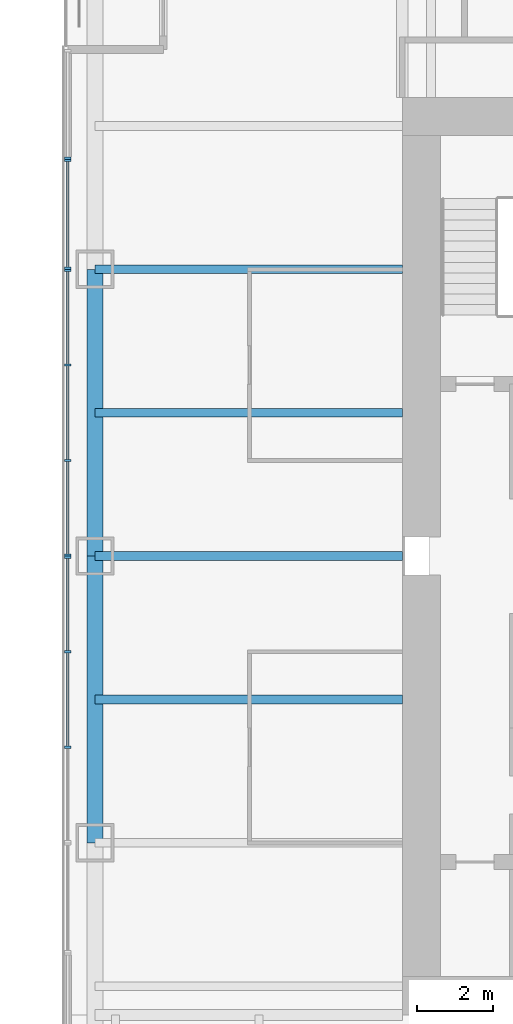
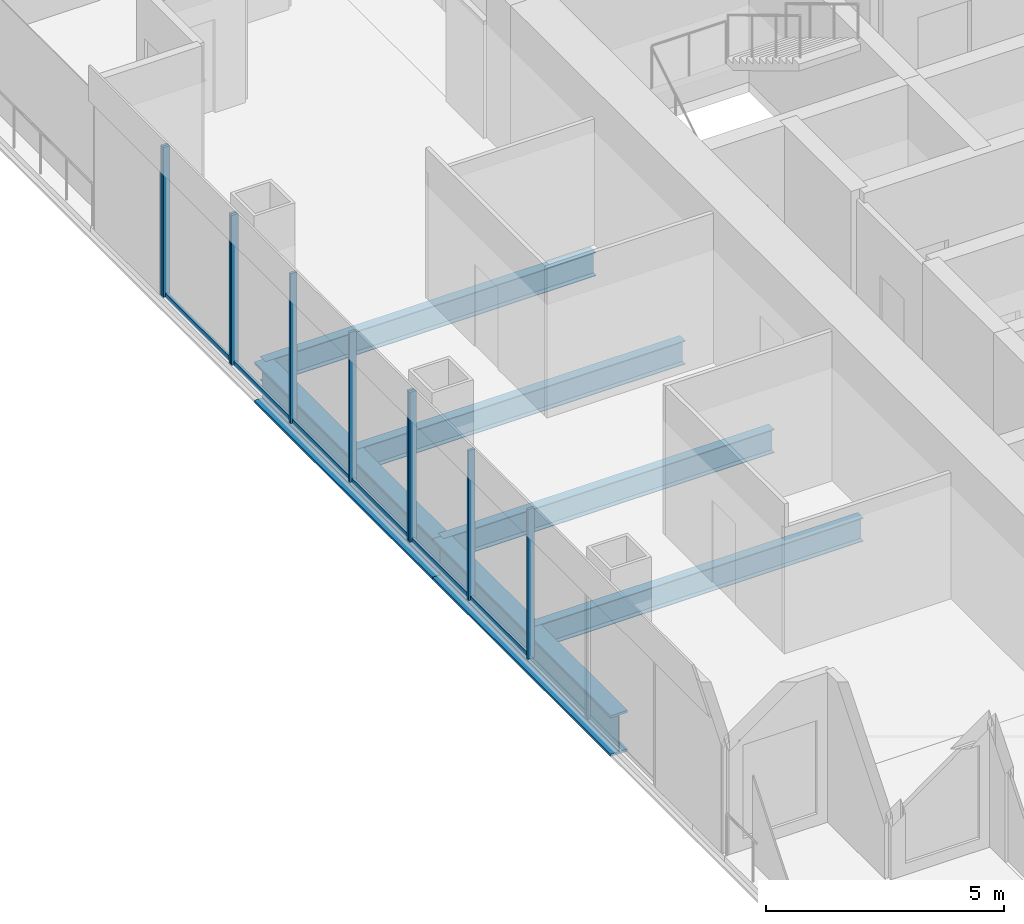
# One storey, part 4 of 14: 16 members, 6 beams, 4 elements without a shape of their own.
"""IFC4 building model written with IfcOpenShell, lengths in metres."""

from ifc_helpers import new_model, si_unit, direction, frame, origin, origin_2d, place, context, subcontext, project, spatial, rectangle, i_section, extrude, material, material_profile, profile_set, type_object, element, aggregate, save


model = new_model("IFC4")

# Units and contexts
model_context = context("Model", 3, precision=1e-05, world=origin(), true_north=direction((0.0, 1.0)))
body_context = subcontext(model_context, "Body", "Model", "MODEL_VIEW")
ifc_project = project(units=[si_unit("LENGTHUNIT", "METRE"), si_unit("AREAUNIT", "SQUARE_METRE"), si_unit("VOLUMEUNIT", "CUBIC_METRE"), si_unit("PLANEANGLEUNIT", "RADIAN"), si_unit("MASSUNIT", "GRAM", prefix="KILO")], contexts=[model_context])

# Site, building, storey
site_placement = place(None, origin())
site = spatial("IfcSite", under=ifc_project, at=site_placement, CompositionType="ELEMENT")
building_placement = place(site_placement, origin())
building = spatial("IfcBuilding", under=site, at=building_placement, Name="Tarangal Relay Tower", CompositionType="ELEMENT")
storey_placement = place(building_placement, frame((0.0, 0.0, 327.89990234375)))
storey = spatial("IfcBuildingStorey", under=building, at=storey_placement, Name="L73", CompositionType="ELEMENT", Elevation=327.89990234375)

# Beams
ifc_material_1 = material(Name="Steel ASTM A992", Category="steel")
ifc_material_profile_1 = material_profile(ifc_material_1, i_section(OverallWidth=0.41162109375, OverallDepth=1.049072265625, WebThickness=0.033935546875, FlangeThickness=0.059814453125, at=origin_2d()), Name="W40X431")
ifc_profile_set_1 = profile_set([ifc_material_profile_1], Name="Steel ASTM A992")
beam_type_1 = type_object("IfcBeamType", Name="Edge girder W40X431", PredefinedType="SPANDREL", material=ifc_profile_set_1)
for number, where, z_axis, x_axis, name in (
    (1, (-20.0400390625, -7.5, -0.67431640625), (0.0, 1.0, 0.0), (-1.0, 0.0, 0.0), "Edge girder EG1 W L73"),
    (2, (-20.0400390625, 0.0, -0.67431640625), (0.0, 1.0, 0.0), (-1.0, 0.0, 0.0), "Edge girder EG1 W L73"),
):
    element("IfcBeam", number, at=place(storey_placement, frame(where, z_axis=z_axis, x_axis=x_axis)), inside=storey, type_object=beam_type_1, Name=name, PredefinedType="SPANDREL", context=body_context, shape_type="SweptSolid", body=[
        extrude(i_section(OverallWidth=0.41162109375, OverallDepth=1.049072265625, WebThickness=0.033935546875, FlangeThickness=0.059814453125, at=origin_2d()), origin(), (0.0, 0.0, 1.0), 7.5),
    ])
ifc_material_profile_2 = material_profile(ifc_material_1, i_section(OverallWidth=0.228271484375, OverallDepth=0.607177734375, WebThickness=0.01123046875, FlangeThickness=0.017333984375, at=origin_2d()), Name="W24X76")
ifc_profile_set_2 = profile_set([ifc_material_profile_2], Name="Steel ASTM A992")
beam_type_2 = type_object("IfcBeamType", Name="Floor beam W24X76", PredefinedType="BEAM", material=ifc_profile_set_2)
for number, where, z_axis, x_axis, name in (
    (3, (-12.0, -3.75, -0.453369140625), (-1.0, 0.0, 0.0), (0.0, -1.0, 0.0), "Floor beam RB5 W L73"),
    (4, (-12.0, 0.0, -0.453369140625), (-1.0, 0.0, 0.0), (0.0, -1.0, 0.0), "Floor beam RB5 W L73"),
    (5, (-12.0, 3.75, -0.453369140625), (-1.0, 0.0, 0.0), (0.0, -1.0, 0.0), "Floor beam RB5 W L73"),
    (6, (-12.0, 7.5, -0.453369140625), (-1.0, 0.0, 0.0), (0.0, -1.0, 0.0), "Floor beam RB5 W L73"),
):
    element("IfcBeam", number, at=place(storey_placement, frame(where, z_axis=z_axis, x_axis=x_axis)), inside=storey, type_object=beam_type_2, Name=name, PredefinedType="BEAM", context=body_context, shape_type="SweptSolid", body=[
        extrude(i_section(OverallWidth=0.228271484375, OverallDepth=0.607177734375, WebThickness=0.01123046875, FlangeThickness=0.017333984375, at=origin_2d()), origin(), (0.0, 0.0, 1.0), 8.0400390625),
    ])

# Curtain wall, members
ifc_material_2 = material(Name="Unitised curtain wall, dark glass and black aluminium", Category="aluminium")
curtain_wall_type_1 = type_object("IfcCurtainWallType", Name="Curtain wall CW-B", PredefinedType="USERDEFINED", material=ifc_material_2)
curtain_wall_1_placement = place(storey_placement, origin())
curtain_wall_1 = element("IfcCurtainWall", 7, at=curtain_wall_1_placement, inside=storey, type_object=curtain_wall_type_1, Name="Curtain wall CW-B W facade L73", ObjectType="UNITISED CURTAIN WALL", PredefinedType="USERDEFINED")
ifc_material_3 = material(Name="Black anodised aluminium mullion", Category="aluminium")
ifc_material_profile_3 = material_profile(ifc_material_3, rectangle(XDim=0.159912109375, YDim=0.06005859375, at=origin_2d()), Name="CW-BM 60X160")
ifc_profile_set_3 = profile_set([ifc_material_profile_3], Name="Black anodised aluminium mullion")
member_type_1 = type_object("IfcMemberType", Name="Mullion CW-B 60 x 160", PredefinedType="MULLION", material=ifc_profile_set_3)
member_1_placement = place(storey_placement, frame((-20.75, -5.0, 0.0), z_axis=(0.0, 0.0, 1.0), x_axis=(-1.0, 0.0, 0.0)))
member_1 = element("IfcMember", 8, at=member_1_placement, type_object=member_type_1, Name="CW-B mullion 2", PredefinedType="MULLION", context=body_context, shape_type="SweptSolid", body=[
    extrude(rectangle(XDim=0.159912109375, YDim=0.06005859375, at=origin_2d()), origin(), (0.0, 0.0, 1.0), 3.85009765625),
])
member_2_placement = place(storey_placement, frame((-20.75, -2.5, 0.0), z_axis=(0.0, 0.0, 1.0), x_axis=(-1.0, 0.0, 0.0)))
member_2 = element("IfcMember", 9, at=member_2_placement, type_object=member_type_1, Name="CW-B mullion 3", PredefinedType="MULLION", context=body_context, shape_type="SweptSolid", body=[
    extrude(rectangle(XDim=0.159912109375, YDim=0.06005859375, at=origin_2d()), origin(), (0.0, 0.0, 1.0), 3.85009765625),
])
member_3_placement = place(storey_placement, frame((-20.75, -0.030029296875, 0.0), z_axis=(0.0, 0.0, 1.0), x_axis=(-1.0, 0.0, 0.0)))
member_3 = element("IfcMember", 10, at=member_3_placement, type_object=member_type_1, Name="CW-B mullion 4", PredefinedType="MULLION", context=body_context, shape_type="SweptSolid", body=[
    extrude(rectangle(XDim=0.159912109375, YDim=0.06005859375, at=origin_2d()), origin(), (0.0, 0.0, 1.0), 3.85009765625),
])

curtain_wall_2_placement = place(storey_placement, origin())
curtain_wall_2 = element("IfcCurtainWall", 11, at=curtain_wall_2_placement, inside=storey, type_object=curtain_wall_type_1, Name="Curtain wall CW-B W facade L73", ObjectType="UNITISED CURTAIN WALL", PredefinedType="USERDEFINED")
member_4_placement = place(storey_placement, frame((-20.75, 0.030029296875, 0.0), z_axis=(0.0, 0.0, 1.0), x_axis=(-1.0, 0.0, 0.0)))
member_4 = element("IfcMember", 12, at=member_4_placement, type_object=member_type_1, Name="CW-B mullion 1", PredefinedType="MULLION", context=body_context, shape_type="SweptSolid", body=[
    extrude(rectangle(XDim=0.159912109375, YDim=0.06005859375, at=origin_2d()), origin(), (0.0, 0.0, 1.0), 3.85009765625),
])
member_5_placement = place(storey_placement, frame((-20.75, 2.5, 0.0), z_axis=(0.0, 0.0, 1.0), x_axis=(-1.0, 0.0, 0.0)))
member_5 = element("IfcMember", 13, at=member_5_placement, type_object=member_type_1, Name="CW-B mullion 2", PredefinedType="MULLION", context=body_context, shape_type="SweptSolid", body=[
    extrude(rectangle(XDim=0.159912109375, YDim=0.06005859375, at=origin_2d()), origin(), (0.0, 0.0, 1.0), 3.85009765625),
])
member_6_placement = place(storey_placement, frame((-20.75, 5.0, 0.0), z_axis=(0.0, 0.0, 1.0), x_axis=(-1.0, 0.0, 0.0)))
member_6 = element("IfcMember", 14, at=member_6_placement, type_object=member_type_1, Name="CW-B mullion 3", PredefinedType="MULLION", context=body_context, shape_type="SweptSolid", body=[
    extrude(rectangle(XDim=0.159912109375, YDim=0.06005859375, at=origin_2d()), origin(), (0.0, 0.0, 1.0), 3.85009765625),
])
member_7_placement = place(storey_placement, frame((-20.75, 7.469970703125, 0.0), z_axis=(0.0, 0.0, 1.0), x_axis=(-1.0, 0.0, 0.0)))
member_7 = element("IfcMember", 15, at=member_7_placement, type_object=member_type_1, Name="CW-B mullion 4", PredefinedType="MULLION", context=body_context, shape_type="SweptSolid", body=[
    extrude(rectangle(XDim=0.159912109375, YDim=0.06005859375, at=origin_2d()), origin(), (0.0, 0.0, 1.0), 3.85009765625),
])

curtain_wall_3_placement = place(storey_placement, origin())
curtain_wall_3 = element("IfcCurtainWall", 16, at=curtain_wall_3_placement, inside=storey, type_object=curtain_wall_type_1, Name="Curtain wall CW-B W facade L73", ObjectType="UNITISED CURTAIN WALL", PredefinedType="USERDEFINED")
member_8_placement = place(storey_placement, frame((-20.75, 7.530029296875, 0.0), z_axis=(0.0, 0.0, 1.0), x_axis=(-1.0, 0.0, 0.0)))
member_8 = element("IfcMember", 17, at=member_8_placement, type_object=member_type_1, Name="CW-B mullion 1", PredefinedType="MULLION", context=body_context, shape_type="SweptSolid", body=[
    extrude(rectangle(XDim=0.159912109375, YDim=0.06005859375, at=origin_2d()), origin(), (0.0, 0.0, 1.0), 3.85009765625),
])
member_9_placement = place(storey_placement, frame((-20.75, 10.344970703125, 0.0), z_axis=(0.0, 0.0, 1.0), x_axis=(-1.0, 0.0, 0.0)))
member_9 = element("IfcMember", 18, at=member_9_placement, type_object=member_type_1, Name="CW-B mullion 2", PredefinedType="MULLION", context=body_context, shape_type="SweptSolid", body=[
    extrude(rectangle(XDim=0.159912109375, YDim=0.06005859375, at=origin_2d()), origin(), (0.0, 0.0, 1.0), 3.85009765625),
])

# Curtain wall, member
ifc_material_4 = material(Name="Unitised curtain wall frame, black aluminium, with metal clad infill walls", Category="aluminium")
curtain_wall_type_2 = type_object("IfcCurtainWallType", Name="Curtain wall CW-BO", PredefinedType="USERDEFINED", material=ifc_material_4)
curtain_wall_4_placement = place(storey_placement, origin())
curtain_wall_4 = element("IfcCurtainWall", 19, at=curtain_wall_4_placement, inside=storey, type_object=curtain_wall_type_2, Name="Curtain wall CW-BO W facade L73", ObjectType="UNITISED CURTAIN WALL", PredefinedType="USERDEFINED")
ifc_material_profile_4 = material_profile(ifc_material_3, rectangle(XDim=0.159912109375, YDim=0.06005859375, at=origin_2d()), Name="CW-BOM 60X160")
ifc_profile_set_4 = profile_set([ifc_material_profile_4], Name="Black anodised aluminium mullion")
member_type_2 = type_object("IfcMemberType", Name="Mullion CW-BO 60 x 160", PredefinedType="MULLION", material=ifc_profile_set_4)
member_10_placement = place(storey_placement, frame((-20.75, 10.405029296875, 0.0), z_axis=(0.0, 0.0, 1.0), x_axis=(-1.0, 0.0, 0.0)))
member_10 = element("IfcMember", 20, at=member_10_placement, type_object=member_type_2, Name="CW-BO mullion 1", PredefinedType="MULLION", context=body_context, shape_type="SweptSolid", body=[
    extrude(rectangle(XDim=0.159912109375, YDim=0.06005859375, at=origin_2d()), origin(), (0.0, 0.0, 1.0), 3.85009765625),
])
aggregate(curtain_wall_4, [member_10])

# Member
ifc_material_5 = material(Name="Black anodised aluminium transom", Category="aluminium")
ifc_material_profile_5 = material_profile(ifc_material_5, rectangle(XDim=0.06005859375, YDim=0.1298828125, at=origin_2d()), Name="CW-BT 60X130")
ifc_profile_set_5 = profile_set([ifc_material_profile_5], Name="Black anodised aluminium transom")
member_type_3 = type_object("IfcMemberType", Name="Transom CW-B 60 x 130", PredefinedType="USERDEFINED", material=ifc_profile_set_5)
member_11_placement = place(storey_placement, frame((-20.75, -4.969970703125, 0.030029296875), z_axis=(0.0, 1.0, 0.0), x_axis=(-1.0, 0.0, 0.0)))
member_11 = element("IfcMember", 21, at=member_11_placement, type_object=member_type_3, Name="CW-B transom 2.1", ObjectType="TRANSOM", PredefinedType="USERDEFINED", context=body_context, shape_type="SweptSolid", body=[
    extrude(rectangle(XDim=0.06005859375, YDim=0.1298828125, at=origin_2d()), origin(), (0.0, 0.0, 1.0), 2.43994140625),
])

member_12_placement = place(storey_placement, frame((-20.75, -2.469970703125, 0.030029296875), z_axis=(0.0, 1.0, 0.0), x_axis=(-1.0, 0.0, 0.0)))
member_12 = element("IfcMember", 22, at=member_12_placement, type_object=member_type_3, Name="CW-B transom 3.1", ObjectType="TRANSOM", PredefinedType="USERDEFINED", context=body_context, shape_type="SweptSolid", body=[
    extrude(rectangle(XDim=0.06005859375, YDim=0.1298828125, at=origin_2d()), origin(), (0.0, 0.0, 1.0), 2.409912109375),
])

aggregate(curtain_wall_1, [member_1, member_2, member_3, member_11, member_12])

member_13_placement = place(storey_placement, frame((-20.75, 0.06005859375, 0.030029296875), z_axis=(0.0, 1.0, 0.0), x_axis=(-1.0, 0.0, 0.0)))
member_13 = element("IfcMember", 23, at=member_13_placement, type_object=member_type_3, Name="CW-B transom 1.1", ObjectType="TRANSOM", PredefinedType="USERDEFINED", context=body_context, shape_type="SweptSolid", body=[
    extrude(rectangle(XDim=0.06005859375, YDim=0.1298828125, at=origin_2d()), origin(), (0.0, 0.0, 1.0), 2.409912109375),
])

member_14_placement = place(storey_placement, frame((-20.75, 2.530029296875, 0.030029296875), z_axis=(0.0, 1.0, 0.0), x_axis=(-1.0, 0.0, 0.0)))
member_14 = element("IfcMember", 24, at=member_14_placement, type_object=member_type_3, Name="CW-B transom 2.1", ObjectType="TRANSOM", PredefinedType="USERDEFINED", context=body_context, shape_type="SweptSolid", body=[
    extrude(rectangle(XDim=0.06005859375, YDim=0.1298828125, at=origin_2d()), origin(), (0.0, 0.0, 1.0), 2.43994140625),
])

member_15_placement = place(storey_placement, frame((-20.75, 5.030029296875, 0.030029296875), z_axis=(0.0, 1.0, 0.0), x_axis=(-1.0, 0.0, 0.0)))
member_15 = element("IfcMember", 25, at=member_15_placement, type_object=member_type_3, Name="CW-B transom 3.1", ObjectType="TRANSOM", PredefinedType="USERDEFINED", context=body_context, shape_type="SweptSolid", body=[
    extrude(rectangle(XDim=0.06005859375, YDim=0.1298828125, at=origin_2d()), origin(), (0.0, 0.0, 1.0), 2.409912109375),
])

aggregate(curtain_wall_2, [member_4, member_5, member_6, member_7, member_13, member_14, member_15])

member_16_placement = place(storey_placement, frame((-20.75, 7.56005859375, 0.030029296875), z_axis=(0.0, 1.0, 0.0), x_axis=(-1.0, 0.0, 0.0)))
member_16 = element("IfcMember", 26, at=member_16_placement, type_object=member_type_3, Name="CW-B transom 1.1", ObjectType="TRANSOM", PredefinedType="USERDEFINED", context=body_context, shape_type="SweptSolid", body=[
    extrude(rectangle(XDim=0.06005859375, YDim=0.1298828125, at=origin_2d()), origin(), (0.0, 0.0, 1.0), 2.7548828125),
])

aggregate(curtain_wall_3, [member_8, member_9, member_16])

save(model, "model.ifc")
